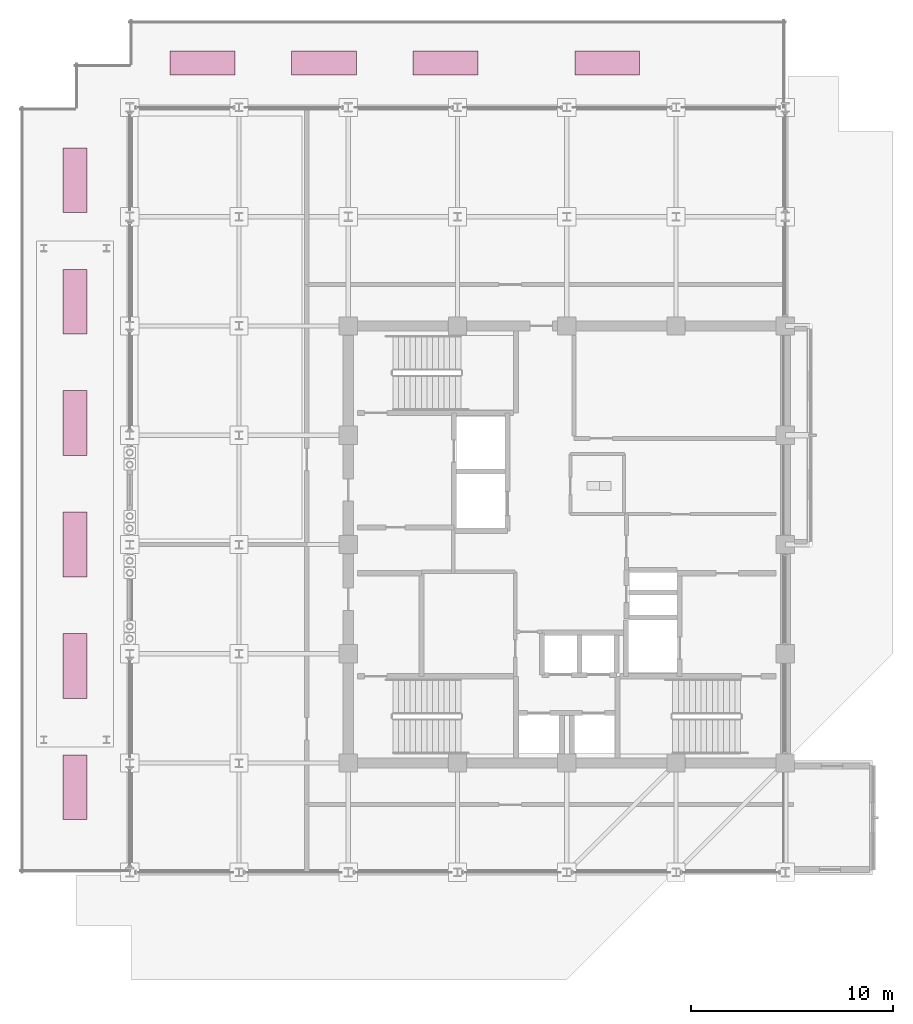
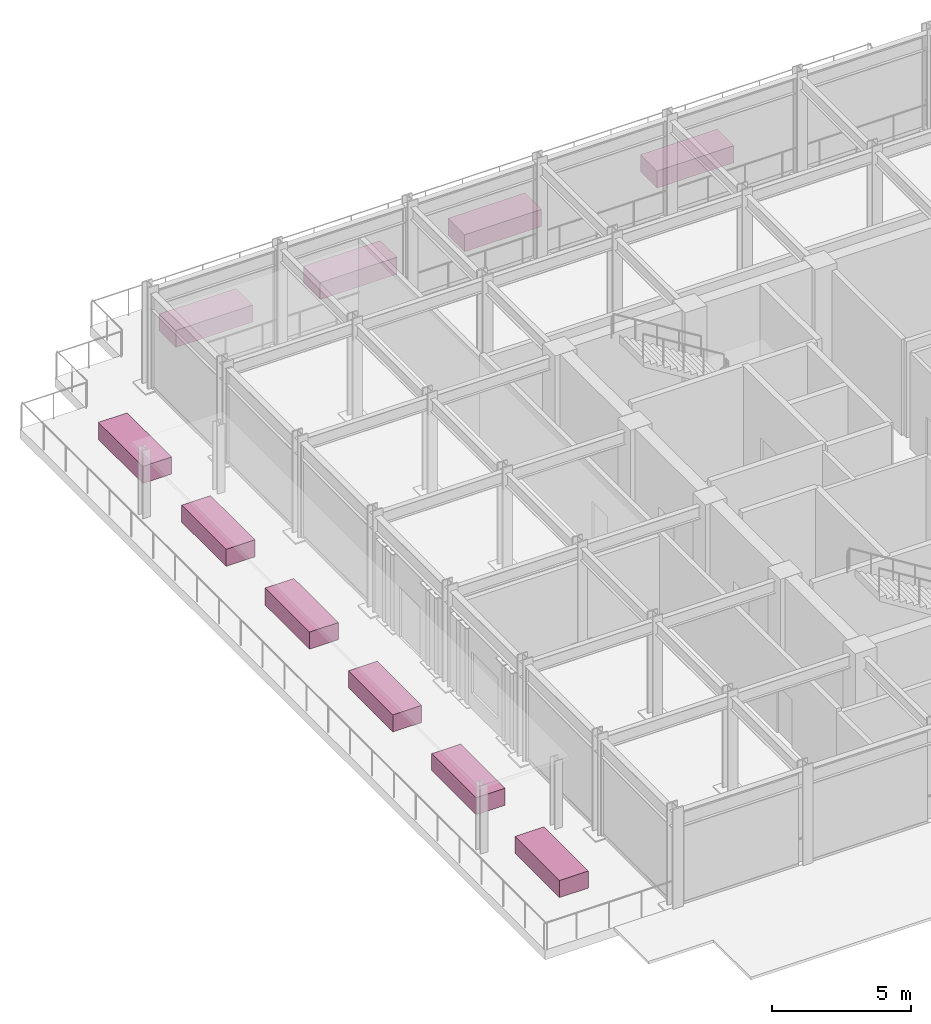
# One storey, part 22 of 22: 10 furnishings.
"""IFC4 building model written with IfcOpenShell, lengths in metres."""

from ifc_helpers import new_model, si_unit, direction, frame, origin, origin_2d, place, context, subcontext, project, spatial, rectangle, extrude, material, type_object, element, save


model = new_model("IFC4")

# Units and contexts
model_context = context("Model", 3, precision=1e-05, world=origin(), true_north=direction((0.0, 1.0)))
body_context = subcontext(model_context, "Body", "Model", "MODEL_VIEW")
ifc_project = project(units=[si_unit("LENGTHUNIT", "METRE"), si_unit("AREAUNIT", "SQUARE_METRE"), si_unit("VOLUMEUNIT", "CUBIC_METRE"), si_unit("PLANEANGLEUNIT", "RADIAN"), si_unit("MASSUNIT", "GRAM", prefix="KILO")], contexts=[model_context])

# Site, building, storey
site_placement = place(None, origin())
site = spatial("IfcSite", under=ifc_project, at=site_placement, CompositionType="ELEMENT")
building_placement = place(site_placement, origin())
building = spatial("IfcBuilding", under=site, at=building_placement, Name="Surkhivell Harbour Commons", CompositionType="ELEMENT")
storey_placement = place(building_placement, frame((0.0, 0.0, 337.5)))
storey = spatial("IfcBuildingStorey", under=building, at=storey_placement, Name="L88", CompositionType="ELEMENT", Elevation=337.5)

# Furnishings
ifc_material = material(Name="Architectural precast concrete C40/50 and planted soil", Category="concrete")
furniture_type = type_object("IfcFurnitureType", Name="FUR-PLN-CRN", AssemblyPlace="NOTDEFINED", PredefinedType="USERDEFINED", material=ifc_material)
for number, where, z_axis, x_axis, name in (
    (1, (-24.300048828125, -12.0, 0.0), (0.0, 0.0, 1.0), (0.0, 1.0, 0.0), "L88 Crown Planter Box PLN-01"),
    (2, (-24.300048828125, -6.0, 0.0), (0.0, 0.0, 1.0), (0.0, 1.0, 0.0), "L88 Crown Planter Box PLN-02"),
    (3, (-24.300048828125, 0.0, 0.0), (0.0, 0.0, 1.0), (0.0, 1.0, 0.0), "L88 Crown Planter Box PLN-03"),
    (4, (-24.300048828125, 6.0, 0.0), (0.0, 0.0, 1.0), (0.0, 1.0, 0.0), "L88 Crown Planter Box PLN-04"),
    (5, (-24.300048828125, 12.0, 0.0), (0.0, 0.0, 1.0), (0.0, 1.0, 0.0), "L88 Crown Planter Box PLN-05"),
    (6, (-24.300048828125, 18.0, 0.0), (0.0, 0.0, 1.0), (0.0, 1.0, 0.0), "L88 Crown Planter Box PLN-06"),
    (7, (-18.0, 23.800048828125, 0.0), (0.0, 0.0, 1.0), (1.0, 0.0, 0.0), "L88 Crown Planter Box PLN-07"),
    (8, (-12.0, 23.800048828125, 0.0), (0.0, 0.0, 1.0), (1.0, 0.0, 0.0), "L88 Crown Planter Box PLN-08"),
    (9, (-6.0, 23.800048828125, 0.0), (0.0, 0.0, 1.0), (1.0, 0.0, 0.0), "L88 Crown Planter Box PLN-09"),
    (10, (2.0, 23.800048828125, 0.0), (0.0, 0.0, 1.0), (1.0, 0.0, 0.0), "L88 Crown Planter Box PLN-10"),
):
    element("IfcFurnishingElement", number, at=place(storey_placement, frame(where, z_axis=z_axis, x_axis=x_axis)), inside=storey, type_object=furniture_type, Name=name, ObjectType="CROWN PLANTER BOX", context=body_context, shape_type="SweptSolid", body=[
        extrude(rectangle(XDim=3.199951171875, YDim=1.199951171875, at=origin_2d()), origin(), (0.0, 0.0, 1.0), 0.75),
    ])

save(model, "model.ifc")
